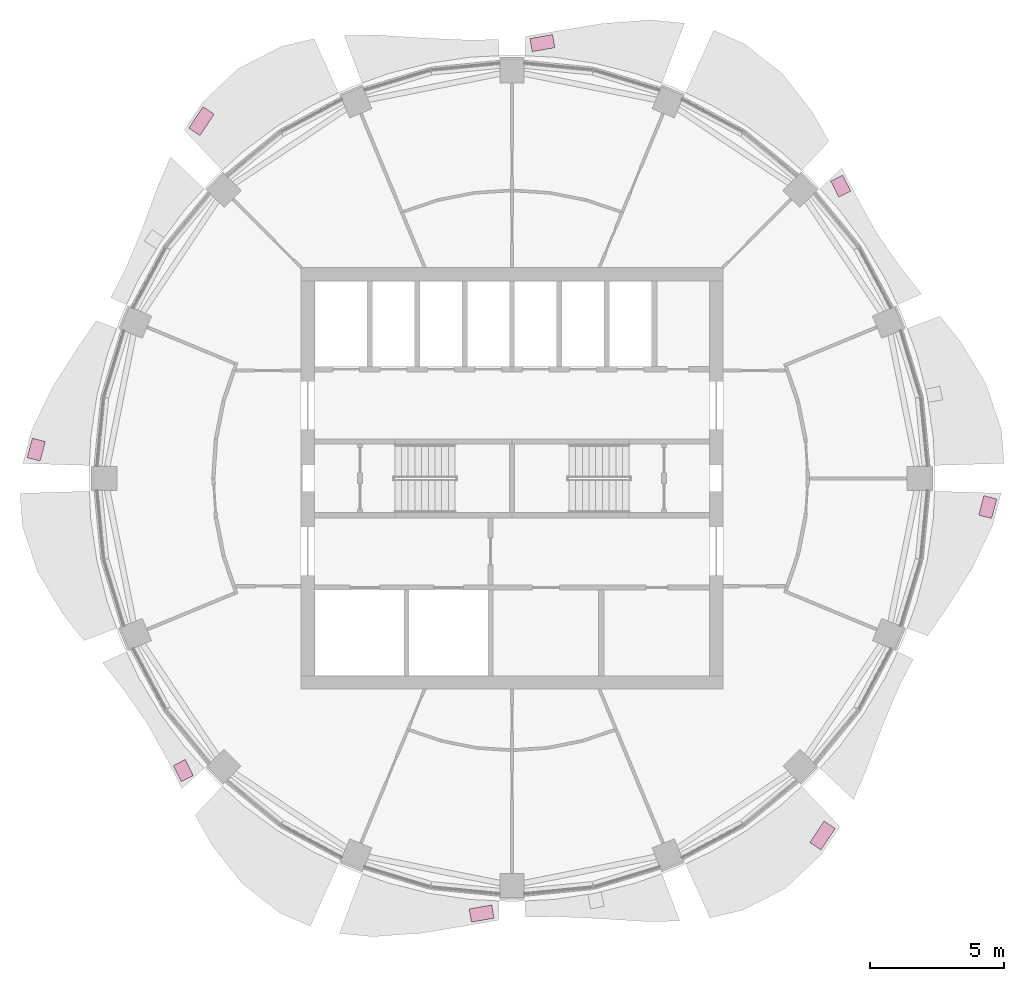
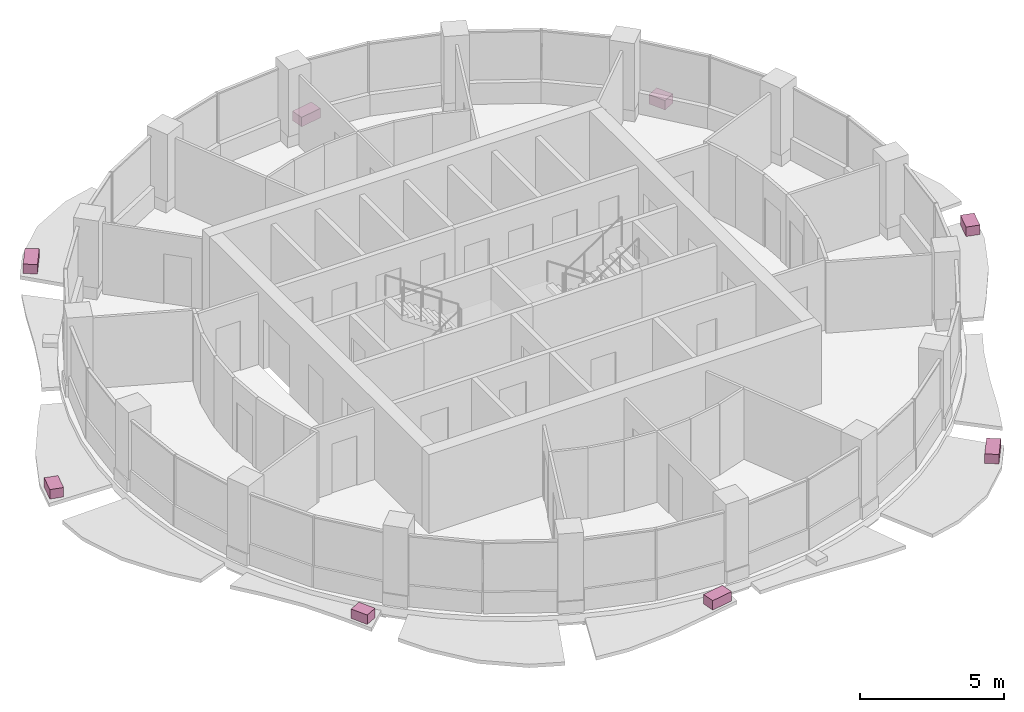
# One storey, part 14 of 14: 8 furniture elements.
"""IFC4 building model written with IfcOpenShell, lengths in metres."""

import ifcopenshell
import ifcopenshell.guid

model = None  # the IFC model being written
_history = None  # IfcOwnerHistory: only IFC2X3 demands one
_inside = {}  # id of a spatial element -> (the spatial element, [elements in it])
_under = {}  # id of a project, library or spatial element -> (it, [spatial elements below it])
_declared = {}  # id of a project -> (the project, [libraries it declares])
_typed = {}  # id of a type object -> (the type object, [elements of that type])
_made_of = {}  # id of a material, layer set ... -> (it, [elements and type objects made of it])


def new_model(schema):
    """Start an empty IFC model of exactly this schema.

    Asked for "IFC4X3", IfcOpenShell would pick the latest addendum, in which some entities
    have other attributes; the version numbers below select the first issue.
    IFC2X3 requires an IfcOwnerHistory on every rooted entity: one is made here for all.
    """
    global model, _history
    if schema == "IFC4X3":
        model = ifcopenshell.file(schema_version=(4, 3, 0, 0))
    else:
        model = ifcopenshell.file(schema=schema)
    _inside.clear()
    _under.clear()
    _declared.clear()
    _typed.clear()
    _made_of.clear()
    _history = None
    if model.schema == "IFC2X3":
        org = make("IfcOrganization", Name="unknown")
        user = make(
            "IfcPersonAndOrganization",
            ThePerson=make("IfcPerson", FamilyName="unknown"),
            TheOrganization=org,
        )
        app = make(
            "IfcApplication",
            ApplicationDeveloper=org,
            Version="unknown",
            ApplicationFullName="unknown",
            ApplicationIdentifier="unknown",
        )
        _history = make(
            "IfcOwnerHistory",
            OwningUser=user,
            OwningApplication=app,
            ChangeAction="ADDED",
            CreationDate=0,
        )
    return model


def make(cls, **values):
    """One entity of the class cls with the attributes given. An attribute that is None is left unset."""
    return model.create_entity(
        cls, **{name: value for name, value in values.items() if value is not None}
    )


def rooted(cls, **values):
    """An entity with a GlobalId (a new one), such as an element, a storey or a relation."""
    return make(cls, GlobalId=ifcopenshell.guid.new(), OwnerHistory=_history, **values)


def si_unit(unit_type, name, prefix=None):
    """IfcSIUnit, for example si_unit("LENGTHUNIT", "METRE", prefix="MILLI")."""
    return make("IfcSIUnit", UnitType=unit_type, Prefix=prefix, Name=name)


def assignment(units):
    """IfcUnitAssignment: the units of a project."""
    return None if units is None else make("IfcUnitAssignment", Units=units)


def point(xyz):
    """IfcCartesianPoint."""
    return None if xyz is None else make("IfcCartesianPoint", Coordinates=xyz)


def direction(xyz):
    """IfcDirection."""
    return None if xyz is None else make("IfcDirection", DirectionRatios=xyz)


def frame(location, z_axis=None, x_axis=None):
    """IfcAxis2Placement3D, a coordinate frame: its origin and axes. An axis left out is left unset."""
    return make(
        "IfcAxis2Placement3D",
        Location=point(location),
        Axis=direction(z_axis),
        RefDirection=direction(x_axis),
    )


def frame_2d(location, x_axis=None):
    """IfcAxis2Placement2D, a coordinate frame in the plane: its origin and x axis."""
    return make(
        "IfcAxis2Placement2D", Location=point(location), RefDirection=direction(x_axis)
    )


def origin():
    """The frame at (0, 0, 0) with its axes left unset."""
    return frame((0.0, 0.0, 0.0))


def origin_2d():
    """The frame at (0, 0) in the plane with its x axis left unset."""
    return frame_2d((0.0, 0.0))


def place(relative_to, where):
    """IfcLocalPlacement: puts the frame where relative to a parent placement (None: the world)."""
    return make(
        "IfcLocalPlacement", PlacementRelTo=relative_to, RelativePlacement=where
    )


def context(
    kind, dimensions, precision=None, world=None, true_north=None, identifier=None
):
    """IfcGeometricRepresentationContext, for example the 3D "Model" context."""
    return make(
        "IfcGeometricRepresentationContext",
        ContextIdentifier=identifier,
        ContextType=kind,
        CoordinateSpaceDimension=dimensions,
        Precision=precision,
        WorldCoordinateSystem=world,
        TrueNorth=true_north,
    )


def subcontext(parent, identifier, kind, view, scale=None):
    """IfcGeometricRepresentationSubContext, for example "Body" below "Model"."""
    return make(
        "IfcGeometricRepresentationSubContext",
        ContextIdentifier=identifier,
        ContextType=kind,
        ParentContext=parent,
        TargetScale=scale,
        TargetView=view,
    )


def project(units=None, contexts=None):
    """IfcProject with its units and contexts."""
    return rooted(
        "IfcProject",
        Name="project",
        RepresentationContexts=contexts,
        UnitsInContext=assignment(units),
    )


def spatial(cls, under=None, at=None, **own):
    """A site, building, storey or space (cls), placed at a placement, below another one or the project."""
    s = rooted(cls, ObjectPlacement=at, **own)
    if under is not None:
        _under.setdefault(under.id(), (under, []))[1].append(s)
    return s


def profile(cls, at=None, kind="AREA", **sizes):
    """A parametric profile (cls). Its sizes go by their IFC names, for example OverallWidth=200.0."""
    return make(cls, ProfileType=kind, Position=at, **sizes)


def rectangle(**sizes):
    """IfcRectangleProfileDef."""
    return profile("IfcRectangleProfileDef", **sizes)


def extrude(swept, where, along, depth):
    """IfcExtrudedAreaSolid: the profile swept, set in the frame where, extruded along a direction by depth."""
    return make(
        "IfcExtrudedAreaSolid",
        SweptArea=swept,
        Position=where,
        ExtrudedDirection=direction(along),
        Depth=depth,
    )


def shape(context_of_items, identifier, shape_type, items):
    """IfcShapeRepresentation: the items that make up one representation, for example the "Body"."""
    return make(
        "IfcShapeRepresentation",
        ContextOfItems=context_of_items,
        RepresentationIdentifier=identifier,
        RepresentationType=shape_type,
        Items=items,
    )


def material(Name=None, Category=None):
    """IfcMaterial."""
    return make("IfcMaterial", Name=Name, Category=Category)


def made_of(thing, what):
    """Note that an element or type object is made of a material, layer set ...; save() writes the relation."""
    if what is not None:
        _made_of.setdefault(what.id(), (what, []))[1].append(thing)
    return thing


def type_object(cls, material=None, **own):
    """A type object (cls), such as IfcWallType, which elements share."""
    return made_of(rooted(cls, **own), material)


def element(
    cls,
    number,
    at=None,
    inside=None,
    cuts=None,
    type_object=None,
    material=None,
    context=None,
    identifier="Body",
    shape_type=None,
    held_by="IfcProductDefinitionShape",
    body=None,
    shapes=None,
    **own,
):
    """One element of the class cls, such as IfcWall. Its Tag is "e" and its number.

    at: its placement. inside: the storey or other place that contains it. cuts: it is an
    opening in that element (IfcRelVoidsElement). A single representation is given by context,
    identifier, shape_type and body (its items); several are given by shapes. held_by: the class
    of the entity that holds the representations. save() writes the other relations.
    """
    e = rooted(cls, Tag="e%d" % number, ObjectPlacement=at, **own)
    if body is not None:
        shapes = [shape(context, identifier, shape_type, body)]
    if shapes is not None:
        e.Representation = make(held_by, Representations=shapes)
    if inside is not None:
        _inside.setdefault(inside.id(), (inside, []))[1].append(e)
    if cuts is not None:
        rooted(
            "IfcRelVoidsElement", RelatingBuildingElement=cuts, RelatedOpeningElement=e
        )
    if type_object is not None:
        _typed.setdefault(type_object.id(), (type_object, []))[1].append(e)
    return made_of(e, material)


def aggregate(whole, parts):
    """IfcRelAggregates: a whole, such as a stair, and the parts it consists of."""
    return rooted("IfcRelAggregates", RelatingObject=whole, RelatedObjects=parts)


def save(model, path):
    """Write the relations noted so far, then the file.

    IfcRelAggregates (storeys below a building ...), IfcRelContainedInSpatialStructure (elements
    in a storey), IfcRelDefinesByType, IfcRelAssociatesMaterial and IfcRelDeclares: one each for
    every whole, place, type object, material and project.
    """
    for whole, parts in _under.values():
        aggregate(whole, parts)
    for where, things in _inside.values():
        rooted(
            "IfcRelContainedInSpatialStructure",
            RelatedElements=things,
            RelatingStructure=where,
        )
    for kind, things in _typed.values():
        rooted("IfcRelDefinesByType", RelatedObjects=things, RelatingType=kind)
    for what, things in _made_of.values():
        rooted("IfcRelAssociatesMaterial", RelatedObjects=things, RelatingMaterial=what)
    for by, libraries in _declared.values():
        rooted("IfcRelDeclares", RelatingContext=by, RelatedDefinitions=libraries)
    model.write(path)


model = new_model("IFC4")

# Units and contexts
model_context = context("Model", 3, precision=1e-05, world=origin(), true_north=direction((0.0, 1.0)))
body_context = subcontext(model_context, "Body", "Model", "MODEL_VIEW")
ifc_project = project(units=[si_unit("LENGTHUNIT", "METRE"), si_unit("AREAUNIT", "SQUARE_METRE"), si_unit("VOLUMEUNIT", "CUBIC_METRE"), si_unit("PLANEANGLEUNIT", "RADIAN"), si_unit("MASSUNIT", "GRAM", prefix="KILO")], contexts=[model_context])

# Site, building, storey
site_placement = place(None, origin())
site = spatial("IfcSite", under=ifc_project, at=site_placement, CompositionType="ELEMENT")
building_placement = place(site_placement, origin())
building = spatial("IfcBuilding", under=site, at=building_placement, Name="Polderwave Tower", CompositionType="ELEMENT")
storey_placement = place(building_placement, frame((0.0, 0.0, 217.800048828125)))
storey = spatial("IfcBuildingStorey", under=building, at=storey_placement, Name="L59", CompositionType="ELEMENT", Elevation=217.800048828125)

# Furniture
ifc_material = material(Name="Terracotta", Category="masonry")
furniture_type = type_object("IfcFurnitureType", Name="Terracotta planting trough", AssemblyPlace="NOTDEFINED", PredefinedType="USERDEFINED", material=ifc_material)
furniture_1_placement = place(storey_placement, frame((12.271240234375, 10.9091796875, -0.199951171875), z_axis=(0.0, 0.0, 1.0), x_axis=(-0.450478684526, 0.892787183369, 0.0)))
element("IfcFurniture", 1, at=furniture_1_placement, inside=storey, type_object=furniture_type, Name="Planting trough L59 2", ObjectType="PLANTER", PredefinedType="USERDEFINED", context=body_context, shape_type="SweptSolid", body=[
    extrude(rectangle(XDim=0.672119140625, YDim=0.5, at=origin_2d()), origin(), (0.0, 0.0, 1.0), 0.39990234375),
])
furniture_2_placement = place(storey_placement, frame((1.13427734375, 16.248291015625, -0.199951171875), z_axis=(0.0, 0.0, 1.0), x_axis=(-0.984941720083, -0.172886691335, 0.0)))
element("IfcFurniture", 2, at=furniture_2_placement, inside=storey, type_object=furniture_type, Name="Planting trough L59 4", ObjectType="PLANTER", PredefinedType="USERDEFINED", context=body_context, shape_type="SweptSolid", body=[
    extrude(rectangle(XDim=0.8583984375, YDim=0.5, at=origin_2d()), origin(), (0.0, 0.0, 1.0), 0.39990234375),
])
furniture_3_placement = place(storey_placement, frame((-11.591796875, 13.333984375, -0.199951171875), z_axis=(0.0, 0.0, 1.0), x_axis=(-0.554519129468, -0.832170977056, 0.0)))
element("IfcFurniture", 3, at=furniture_3_placement, inside=storey, type_object=furniture_type, Name="Planting trough L59 6", ObjectType="PLANTER", PredefinedType="USERDEFINED", context=body_context, shape_type="SweptSolid", body=[
    extrude(rectangle(XDim=0.962158203125, YDim=0.5, at=origin_2d()), origin(), (0.0, 0.0, 1.0), 0.39990234375),
])
furniture_4_placement = place(storey_placement, frame((-17.760498046875, 1.07275390625, -0.199951171875), z_axis=(0.0, 0.0, 1.0), x_axis=(-0.255007001113, -0.966939206664, 0.0)))
element("IfcFurniture", 4, at=furniture_4_placement, inside=storey, type_object=furniture_type, Name="Planting trough L59 8", ObjectType="PLANTER", PredefinedType="USERDEFINED", context=body_context, shape_type="SweptSolid", body=[
    extrude(rectangle(XDim=0.751220703125, YDim=0.5, at=origin_2d()), origin(), (0.0, 0.0, 1.0), 0.39990234375),
])
furniture_5_placement = place(storey_placement, frame((-12.271240234375, -10.9091796875, -0.199951171875), z_axis=(0.0, 0.0, 1.0), x_axis=(0.450478684526, -0.892787183369, 0.0)))
element("IfcFurniture", 5, at=furniture_5_placement, inside=storey, type_object=furniture_type, Name="Planting trough L59 10", ObjectType="PLANTER", PredefinedType="USERDEFINED", context=body_context, shape_type="SweptSolid", body=[
    extrude(rectangle(XDim=0.672119140625, YDim=0.5, at=origin_2d()), origin(), (0.0, 0.0, 1.0), 0.39990234375),
])
furniture_6_placement = place(storey_placement, frame((-1.13427734375, -16.248291015625, -0.199951171875), z_axis=(0.0, 0.0, 1.0), x_axis=(0.984941720083, 0.172886691335, 0.0)))
element("IfcFurniture", 6, at=furniture_6_placement, inside=storey, type_object=furniture_type, Name="Planting trough L59 12", ObjectType="PLANTER", PredefinedType="USERDEFINED", context=body_context, shape_type="SweptSolid", body=[
    extrude(rectangle(XDim=0.8583984375, YDim=0.5, at=origin_2d()), origin(), (0.0, 0.0, 1.0), 0.39990234375),
])
furniture_7_placement = place(storey_placement, frame((11.591796875, -13.333984375, -0.199951171875), z_axis=(0.0, 0.0, 1.0), x_axis=(0.554519129468, 0.832170977056, 0.0)))
element("IfcFurniture", 7, at=furniture_7_placement, inside=storey, type_object=furniture_type, Name="Planting trough L59 14", ObjectType="PLANTER", PredefinedType="USERDEFINED", context=body_context, shape_type="SweptSolid", body=[
    extrude(rectangle(XDim=0.962158203125, YDim=0.5, at=origin_2d()), origin(), (0.0, 0.0, 1.0), 0.39990234375),
])
furniture_8_placement = place(storey_placement, frame((17.760498046875, -1.07275390625, -0.199951171875), z_axis=(0.0, 0.0, 1.0), x_axis=(0.255007001113, 0.966939206664, 0.0)))
element("IfcFurniture", 8, at=furniture_8_placement, inside=storey, type_object=furniture_type, Name="Planting trough L59 16", ObjectType="PLANTER", PredefinedType="USERDEFINED", context=body_context, shape_type="SweptSolid", body=[
    extrude(rectangle(XDim=0.751220703125, YDim=0.5, at=origin_2d()), origin(), (0.0, 0.0, 1.0), 0.39990234375),
])

save(model, "model.ifc")
